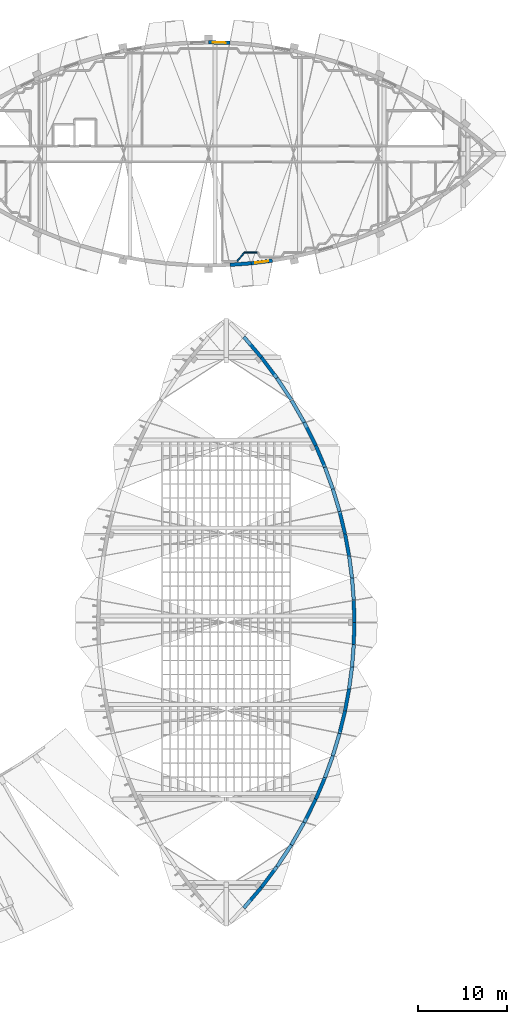
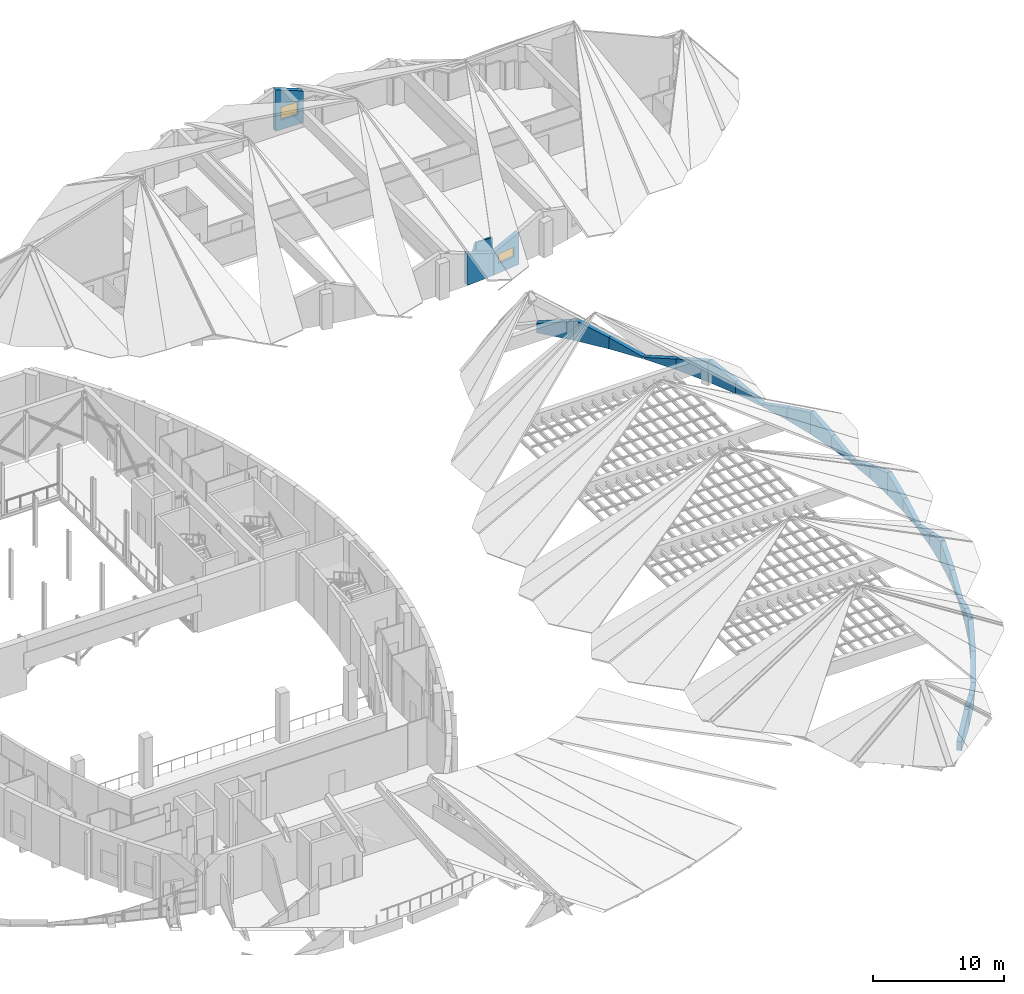
# One storey, part 46 of 56: 31 walls, 2 windows, 2 openings.
"""IFC4 building model written with IfcOpenShell, lengths in metres."""

from ifc_helpers import new_model, si_unit, direction, frame, frame_2d, origin, place, context, subcontext, project, spatial, polyline, rectangle, outline, extrude, material, layer, layer_set, type_object, element, fill, save


model = new_model("IFC4")

# Units and contexts
model_context = context("Model", 3, precision=1e-05, world=origin(), true_north=direction((0.0, 1.0)))
body_context = subcontext(model_context, "Body", "Model", "MODEL_VIEW")
ifc_project = project(units=[si_unit("LENGTHUNIT", "METRE"), si_unit("AREAUNIT", "SQUARE_METRE"), si_unit("VOLUMEUNIT", "CUBIC_METRE"), si_unit("PLANEANGLEUNIT", "RADIAN"), si_unit("MASSUNIT", "GRAM", prefix="KILO")], contexts=[model_context])

# Site, building, storey
site_placement = place(None, origin())
site = spatial("IfcSite", under=ifc_project, at=site_placement, CompositionType="ELEMENT")
building_placement = place(site_placement, origin())
building = spatial("IfcBuilding", under=site, at=building_placement, Name="Tide Square Theatres", CompositionType="ELEMENT")
storey_placement = place(building_placement, frame((0.0, 0.0, 10.199951171875)))
storey = spatial("IfcBuildingStorey", under=building, at=storey_placement, Name="L02", CompositionType="ELEMENT", Elevation=10.199951171875)

# Walls
ifc_material_1 = material(Name="Gypsum board on steel studs", Category="steel")
ifc_layer_1 = layer(ifc_material_1, 0.14990234375)
ifc_layer_set_1 = layer_set([ifc_layer_1], Name="Gypsum board on steel studs")
wall_type_1 = type_object("IfcWallType", Name="Partition 150 thick", PredefinedType="PARTITIONING", material=ifc_layer_set_1)
wall_1_placement = place(storey_placement, frame((135.51025390625, 86.678955078125, 0.0), z_axis=(0.0, 0.0, 1.0), x_axis=(-0.999966098072, 0.008234239938, 0.0)))
element("IfcWall", 1, at=wall_1_placement, inside=storey, type_object=wall_type_1, Name="Rehearsal Block partition", PredefinedType="PARTITIONING", context=body_context, shape_type="SweptSolid", body=[
    extrude(rectangle(XDim=1.482421875, YDim=0.14990234375, at=frame_2d((0.7412109375, 0.0))), origin(), (0.0, 0.0, 1.0), 2.5),
])
wall_2_placement = place(storey_placement, frame((134.002685546875, 86.659912109375, 0.0), z_axis=(0.0, 0.0, 1.0), x_axis=(-0.626036892137, -0.779793440395, 0.0)))
element("IfcWall", 2, at=wall_2_placement, inside=storey, type_object=wall_type_1, Name="Rehearsal Block partition", PredefinedType="PARTITIONING", context=body_context, shape_type="SweptSolid", body=[
    extrude(rectangle(XDim=1.24169921875, YDim=0.14990234375, at=frame_2d((0.620849609375, 0.0))), origin(), (0.0, 0.0, 1.0), 2.5),
])
ifc_material_2 = material(Name="Concrete C40", Category="concrete")
ifc_layer_2 = layer(ifc_material_2, 0.39990234375)
ifc_layer_set_2 = layer_set([ifc_layer_2], Name="Concrete C40")
wall_type_2 = type_object("IfcWallType", Name="RC curved wall 400 thick", PredefinedType="SOLIDWALL", material=ifc_layer_set_2)
wall_3_placement = place(storey_placement, frame((133.97607421875, 12.824462890625, 0.0), z_axis=(0.0, 0.0, 1.0), x_axis=(0.649458578854, 0.760396971557, 0.0)))
element("IfcWall", 3, at=wall_3_placement, inside=storey, type_object=wall_type_2, Name="Black Box Theatre perimeter wall", PredefinedType="SOLIDWALL", context=body_context, shape_type="SweptSolid", body=[
    extrude(outline(polyline([(0.0, 0.0), (3.019287109375, 0.0), (3.019287109375, 1.758056640625), (2.845458984375, 1.70654296875), (2.674560546875, 1.65576171875), (0.0, 0.862060546875), (0.0, 0.0)])), frame((0.0, 0.199951171875, 0.0), z_axis=(0.0, -1.0, 0.0), x_axis=(1.0, 0.0, 0.0)), (0.0, 0.0, 1.0), 0.39990234375),
])
wall_4_placement = place(storey_placement, frame((135.944580078125, 15.130126953125, 0.0), z_axis=(0.0, 0.0, 1.0), x_axis=(0.600829330321, 0.799377330068, 0.0)))
element("IfcWall", 4, at=wall_4_placement, inside=storey, type_object=wall_type_2, Name="Black Box Theatre perimeter wall", PredefinedType="SOLIDWALL", context=body_context, shape_type="SweptSolid", body=[
    extrude(outline(polyline([(0.0, 0.0), (2.919189453125, 0.0), (2.919189453125, 1.0498046875), (2.5888671875, 1.1513671875), (0.3154296875, 1.84912109375), (0.1650390625, 1.895263671875), (0.0, 1.76904296875), (0.0, 0.0)])), frame((0.0, 0.199951171875, 0.0), z_axis=(0.0, -1.0, 0.0), x_axis=(1.0, 0.0, 0.0)), (0.0, 0.0, 1.0), 0.39990234375),
])
wall_5_placement = place(storey_placement, frame((137.70556640625, 17.4736328125, 0.0), z_axis=(0.0, 0.0, 1.0), x_axis=(0.550602185206, 0.834767772285, 0.0)))
element("IfcWall", 5, at=wall_5_placement, inside=storey, type_object=wall_type_2, Name="Black Box Theatre perimeter wall", PredefinedType="SOLIDWALL", context=body_context, shape_type="SweptSolid", body=[
    extrude(outline(polyline([(0.0, 0.0), (2.91943359375, 0.0), (2.919189453125, 0.170654296875), (2.462646484375, 0.310791015625), (0.28759765625, 0.978515625), (0.0, 1.04296875), (0.0, 0.0)])), frame((0.0, 0.199951171875, 0.0), z_axis=(0.0, -1.0, 0.0), x_axis=(1.0, 0.0, 0.0)), (0.0, 0.0, 1.0), 0.39990234375),
])
wall_6_placement = place(storey_placement, frame((139.3193359375, 19.9208984375, 0.0), z_axis=(0.0, 0.0, 1.0), x_axis=(0.498406705095, 0.866943340892, 0.0)))
element("IfcWall", 6, at=wall_6_placement, inside=storey, type_object=wall_type_2, Name="Black Box Theatre perimeter wall", PredefinedType="SOLIDWALL", context=body_context, shape_type="SweptSolid", body=[
    extrude(outline(polyline([(0.0, 0.0), (2.91943359375, 0.0), (2.919189453125, 1.045166015625), (2.87841796875, 1.032470703125), (0.0, 0.1669921875), (0.0, 0.0)])), frame((0.0, 0.199951171875, 0.0), z_axis=(0.0, -1.0, 0.0), x_axis=(1.0, 0.0, 0.0)), (0.0, 0.0, 1.0), 0.39990234375),
])
wall_7_placement = place(storey_placement, frame((140.7802734375, 22.462646484375, 0.0), z_axis=(0.0, 0.0, 1.0), x_axis=(0.44433489597, 0.895860759395, 0.0)))
element("IfcWall", 7, at=wall_7_placement, inside=storey, type_object=wall_type_2, Name="Black Box Theatre perimeter wall", PredefinedType="SOLIDWALL", context=body_context, shape_type="SweptSolid", body=[
    extrude(outline(polyline([(0.0, 0.0), (2.919677734375, 0.0), (2.919921875, 1.955078125), (2.81201171875, 1.921875), (2.712890625, 1.891357421875), (0.0, 1.052978515625), (0.0, 0.0)])), frame((0.0, 0.199951171875, 0.0), z_axis=(0.0, -1.0, 0.0), x_axis=(1.0, 0.0, 0.0)), (0.0, 0.0, 1.0), 0.39990234375),
])
wall_8_placement = place(storey_placement, frame((142.08251953125, 25.089111328125, 0.0), z_axis=(0.0, 0.0, 1.0), x_axis=(0.391529943778, 0.920165367271, 0.0)))
element("IfcWall", 8, at=wall_8_placement, inside=storey, type_object=wall_type_2, Name="Black Box Theatre perimeter wall", PredefinedType="SOLIDWALL", context=body_context, shape_type="SweptSolid", body=[
    extrude(outline(polyline([(0.0, 0.0), (2.61572265625, 0.0), (2.615966796875, 1.1552734375), (2.479736328125, 1.201904296875), (0.190185546875, 1.986328125), (0.10498046875, 2.015380859375), (0.0, 1.963623046875), (0.0, 0.0)])), frame((0.0, 0.199951171875, 0.0), z_axis=(0.0, -1.0, 0.0), x_axis=(1.0, 0.0, 0.0)), (0.0, 0.0, 1.0), 0.39990234375),
])
wall_9_placement = place(storey_placement, frame((143.110595703125, 27.50634765625, 0.0), z_axis=(0.0, 0.0, 1.0), x_axis=(0.340394146267, 0.940282843184, 0.0)))
element("IfcWall", 9, at=wall_9_placement, inside=storey, type_object=wall_type_2, Name="Black Box Theatre perimeter wall", PredefinedType="SOLIDWALL", context=body_context, shape_type="SweptSolid", body=[
    extrude(outline(polyline([(0.0, 0.0), (2.616455078125, 0.0), (2.616455078125, 0.255615234375), (2.441650390625, 0.3154296875), (0.120361328125, 1.1103515625), (0.0, 1.14794921875), (0.0, 0.0)])), frame((0.0, 0.199951171875, 0.0), z_axis=(0.0, -1.0, 0.0), x_axis=(1.0, 0.0, 0.0)), (0.0, 0.0, 1.0), 0.39990234375),
])
wall_10_placement = place(storey_placement, frame((144.004638671875, 29.97705078125, 0.0), z_axis=(0.0, 0.0, 1.0), x_axis=(0.288212317298, 0.957566530408, 0.0)))
element("IfcWall", 10, at=wall_10_placement, inside=storey, type_object=wall_type_2, Name="Black Box Theatre perimeter wall", PredefinedType="SOLIDWALL", context=body_context, shape_type="SweptSolid", body=[
    extrude(outline(polyline([(0.0, 0.0), (2.61669921875, 0.0), (2.616455078125, 1.129150390625), (2.60302734375, 1.124755859375), (0.0, 0.251953125), (0.0, 0.0)])), frame((0.0, 0.199951171875, 0.0), z_axis=(0.0, -1.0, 0.0), x_axis=(1.0, 0.0, 0.0)), (0.0, 0.0, 1.0), 0.39990234375),
])
wall_11_placement = place(storey_placement, frame((144.76171875, 32.4931640625, 0.0), z_axis=(0.0, 0.0, 1.0), x_axis=(0.235108668597, 0.971969091047, 0.0)))
element("IfcWall", 11, at=wall_11_placement, inside=storey, type_object=wall_type_2, Name="Black Box Theatre perimeter wall", PredefinedType="SOLIDWALL", context=body_context, shape_type="SweptSolid", body=[
    extrude(outline(polyline([(0.0, 0.0), (2.61669921875, 0.0), (2.61669921875, 2.03564453125), (2.586181640625, 2.025146484375), (2.489501953125, 1.991943359375), (0.0, 1.136962890625), (0.0, 0.0)])), frame((0.0, 0.199951171875, 0.0), z_axis=(0.0, -1.0, 0.0), x_axis=(1.0, 0.0, 0.0)), (0.0, 0.0, 1.0), 0.39990234375),
])
wall_12_placement = place(storey_placement, frame((145.379150390625, 35.047119140625, 0.0), z_axis=(0.0, 0.0, 1.0), x_axis=(0.182652956339, 0.983177449671, 0.0)))
element("IfcWall", 12, at=wall_12_placement, inside=storey, type_object=wall_type_2, Name="Black Box Theatre perimeter wall", PredefinedType="SOLIDWALL", context=body_context, shape_type="SweptSolid", body=[
    extrude(outline(polyline([(0.0, 0.0), (2.496826171875, 0.0), (2.496826171875, 1.18310546875), (2.427001953125, 1.208251953125), (0.077880859375, 2.05126953125), (0.0, 2.0419921875), (0.0, 0.0)])), frame((0.0, 0.199951171875, 0.0), z_axis=(0.0, -1.0, 0.0), x_axis=(1.0, 0.0, 0.0)), (0.0, 0.0, 1.0), 0.39990234375),
])
wall_13_placement = place(storey_placement, frame((145.8369140625, 37.512451171875, 0.0), z_axis=(0.0, 0.0, 1.0), x_axis=(0.130722601708, 0.991418983782, 0.0)))
element("IfcWall", 13, at=wall_13_placement, inside=storey, type_object=wall_type_2, Name="Black Box Theatre perimeter wall", PredefinedType="SOLIDWALL", context=body_context, shape_type="SweptSolid", body=[
    extrude(outline(polyline([(0.0, 0.0), (2.4970703125, 0.0), (2.497314453125, 0.2802734375), (2.401611328125, 0.314453125), (0.058349609375, 1.15625), (0.0, 1.17578125), (0.0, 0.0)])), frame((0.0, 0.199951171875, 0.0), z_axis=(0.0, -1.0, 0.0), x_axis=(1.0, 0.0, 0.0)), (0.0, 0.0, 1.0), 0.39990234375),
])
wall_14_placement = place(storey_placement, frame((146.16455078125, 39.99853515625, 0.0), z_axis=(0.0, 0.0, 1.0), x_axis=(0.078602769132, 0.996906015974, 0.0)))
element("IfcWall", 14, at=wall_14_placement, inside=storey, type_object=wall_type_2, Name="Black Box Theatre perimeter wall", PredefinedType="SOLIDWALL", context=body_context, shape_type="SweptSolid", body=[
    extrude(outline(polyline([(0.0, 0.0), (2.497314453125, 0.0), (2.497314453125, 1.1611328125), (2.483642578125, 1.15673828125), (0.048095703125, 0.28125), (0.0, 0.275390625), (0.0, 0.0)])), frame((0.0, 0.199951171875, 0.0), z_axis=(0.0, -1.0, 0.0), x_axis=(1.0, 0.0, 0.0)), (0.0, 0.0, 1.0), 0.39990234375),
])
wall_15_placement = place(storey_placement, frame((146.361328125, 42.498291015625, 0.0), z_axis=(0.0, 0.0, 1.0), x_axis=(0.026296399089, 0.999654189905, 0.0)))
element("IfcWall", 15, at=wall_15_placement, inside=storey, type_object=wall_type_2, Name="Black Box Theatre perimeter wall", PredefinedType="SOLIDWALL", context=body_context, shape_type="SweptSolid", body=[
    extrude(outline(polyline([(0.0, 0.0), (2.49755859375, 0.0), (2.497314453125, 2.064697265625), (2.4306640625, 2.040771484375), (0.0, 1.16845703125), (0.0, 0.0)])), frame((0.0, 0.199951171875, 0.0), z_axis=(0.0, -1.0, 0.0), x_axis=(1.0, 0.0, 0.0)), (0.0, 0.0, 1.0), 0.39990234375),
])
wall_16_placement = place(storey_placement, frame((146.427001953125, 45.005126953125, 0.0), z_axis=(0.0, 0.0, 1.0), x_axis=(-0.026296399089, 0.999654189905, 0.0)))
element("IfcWall", 16, at=wall_16_placement, inside=storey, type_object=wall_type_2, Name="Black Box Theatre perimeter wall", PredefinedType="SOLIDWALL", context=body_context, shape_type="SweptSolid", body=[
    extrude(outline(polyline([(0.0, 0.0), (2.49755859375, 0.0), (2.497314453125, 1.16845703125), (2.472900390625, 1.17724609375), (0.05615234375, 2.044677734375), (0.0, 2.064697265625), (0.0, 0.0)])), frame((0.0, 0.199951171875, 0.0), z_axis=(0.0, -1.0, 0.0), x_axis=(1.0, 0.0, 0.0)), (0.0, 0.0, 1.0), 0.39990234375),
])
wall_17_placement = place(storey_placement, frame((146.36083984375, 47.511962890625, 0.0), z_axis=(0.0, 0.0, 1.0), x_axis=(-0.078602769132, 0.996906015974, 0.0)))
element("IfcWall", 17, at=wall_17_placement, inside=storey, type_object=wall_type_2, Name="Black Box Theatre perimeter wall", PredefinedType="SOLIDWALL", context=body_context, shape_type="SweptSolid", body=[
    extrude(outline(polyline([(0.0, 0.0), (2.497314453125, 0.0), (2.497314453125, 0.26416015625), (2.448974609375, 0.281494140625), (0.0, 1.1611328125), (0.0, 0.0)])), frame((0.0, 0.199951171875, 0.0), z_axis=(0.0, -1.0, 0.0), x_axis=(1.0, 0.0, 0.0)), (0.0, 0.0, 1.0), 0.39990234375),
])
wall_18_placement = place(storey_placement, frame((146.163330078125, 50.011962890625, 0.0), z_axis=(0.0, 0.0, 1.0), x_axis=(-0.130722601708, 0.991418983782, 0.0)))
element("IfcWall", 18, at=wall_18_placement, inside=storey, type_object=wall_type_2, Name="Black Box Theatre perimeter wall", PredefinedType="SOLIDWALL", context=body_context, shape_type="SweptSolid", body=[
    extrude(outline(polyline([(0.0, 0.0), (2.4970703125, 0.0), (2.497314453125, 1.1630859375), (2.43896484375, 1.14306640625), (0.095703125, 0.302001953125), (0.0, 0.267578125), (0.0, 0.0)])), frame((0.0, 0.199951171875, 0.0), z_axis=(0.0, -1.0, 0.0), x_axis=(1.0, 0.0, 0.0)), (0.0, 0.0, 1.0), 0.39990234375),
])
wall_19_placement = place(storey_placement, frame((145.835205078125, 52.498046875, 0.0), z_axis=(0.0, 0.0, 1.0), x_axis=(-0.182652956339, 0.983177449671, 0.0)))
element("IfcWall", 19, at=wall_19_placement, inside=storey, type_object=wall_type_2, Name="Black Box Theatre perimeter wall", PredefinedType="SOLIDWALL", context=body_context, shape_type="SweptSolid", body=[
    extrude(outline(polyline([(0.0, 0.0), (2.496826171875, 0.0), (2.496826171875, 2.0302734375), (2.455810546875, 2.0517578125), (2.381591796875, 2.025146484375), (0.070068359375, 1.195556640625), (0.0, 1.17041015625), (0.0, 0.0)])), frame((0.0, 0.199951171875, 0.0), z_axis=(0.0, -1.0, 0.0), x_axis=(1.0, 0.0, 0.0)), (0.0, 0.0, 1.0), 0.39990234375),
])
wall_20_placement = place(storey_placement, frame((145.376953125, 54.96337890625, 0.0), z_axis=(0.0, 0.0, 1.0), x_axis=(-0.235108668597, 0.971969091047, 0.0)))
element("IfcWall", 20, at=wall_20_placement, inside=storey, type_object=wall_type_2, Name="Black Box Theatre perimeter wall", PredefinedType="SOLIDWALL", context=body_context, shape_type="SweptSolid", body=[
    extrude(outline(polyline([(0.0, 0.0), (2.61669921875, 0.0), (2.61669921875, 1.123291015625), (0.0791015625, 1.99462890625), (0.0, 2.021728515625), (0.0, 0.0)])), frame((0.0, 0.199951171875, 0.0), z_axis=(0.0, -1.0, 0.0), x_axis=(1.0, 0.0, 0.0)), (0.0, 0.0, 1.0), 0.39990234375),
])
wall_21_placement = place(storey_placement, frame((144.7587890625, 57.517333984375, 0.0), z_axis=(0.0, 0.0, 1.0), x_axis=(-0.288212317298, 0.957566530408, 0.0)))
element("IfcWall", 21, at=wall_21_placement, inside=storey, type_object=wall_type_2, Name="Black Box Theatre perimeter wall", PredefinedType="SOLIDWALL", context=body_context, shape_type="SweptSolid", body=[
    extrude(outline(polyline([(0.0, 0.0), (2.61669921875, 0.0), (2.616455078125, 0.218994140625), (2.6005859375, 0.224609375), (0.0, 1.115234375), (0.0, 0.0)])), frame((0.0, 0.199951171875, 0.0), z_axis=(0.0, -1.0, 0.0), x_axis=(1.0, 0.0, 0.0)), (0.0, 0.0, 1.0), 0.39990234375),
])
wall_22_placement = place(storey_placement, frame((144.001220703125, 60.033447265625, 0.0), z_axis=(0.0, 0.0, 1.0), x_axis=(-0.340394146267, 0.940282843184, 0.0)))
element("IfcWall", 22, at=wall_22_placement, inside=storey, type_object=wall_type_2, Name="Black Box Theatre perimeter wall", PredefinedType="SOLIDWALL", context=body_context, shape_type="SweptSolid", body=[
    extrude(outline(polyline([(0.0, 0.0), (2.616455078125, 0.0), (2.616455078125, 1.109375), (2.49609375, 1.07275390625), (0.1748046875, 0.2783203125), (0.0, 0.218505859375), (0.0, 0.0)])), frame((0.0, 0.199951171875, 0.0), z_axis=(0.0, -1.0, 0.0), x_axis=(1.0, 0.0, 0.0)), (0.0, 0.0, 1.0), 0.39990234375),
])
wall_23_placement = place(storey_placement, frame((143.106689453125, 62.50390625, 0.0), z_axis=(0.0, 0.0, 1.0), x_axis=(-0.391529943778, 0.920165367271, 0.0)))
element("IfcWall", 23, at=wall_23_placement, inside=storey, type_object=wall_type_2, Name="Black Box Theatre perimeter wall", PredefinedType="SOLIDWALL", context=body_context, shape_type="SweptSolid", body=[
    extrude(outline(polyline([(0.0, 0.0), (2.61572265625, 0.0), (2.615966796875, 1.918701171875), (2.593505859375, 1.927001953125), (2.50830078125, 1.975830078125), (2.42333984375, 1.94677734375), (0.13623046875, 1.163330078125), (0.0, 1.11669921875), (0.0, 0.0)])), frame((0.0, 0.199951171875, 0.0), z_axis=(0.0, -1.0, 0.0), x_axis=(1.0, 0.0, 0.0)), (0.0, 0.0, 1.0), 0.39990234375),
])
wall_24_placement = place(storey_placement, frame((142.07763671875, 64.921630859375, 0.0), z_axis=(0.0, 0.0, 1.0), x_axis=(-0.44433489597, 0.895860759395, 0.0)))
element("IfcWall", 24, at=wall_24_placement, inside=storey, type_object=wall_type_2, Name="Black Box Theatre perimeter wall", PredefinedType="SOLIDWALL", context=body_context, shape_type="SweptSolid", body=[
    extrude(outline(polyline([(0.0, 0.0), (2.919677734375, 0.0), (2.919921875, 1.008544921875), (2.891845703125, 1.01904296875), (0.209716796875, 1.8466796875), (0.110595703125, 1.876953125), (0.0, 1.910888671875), (0.0, 0.0)])), frame((0.0, 0.199951171875, 0.0), z_axis=(0.0, -1.0, 0.0), x_axis=(1.0, 0.0, 0.0)), (0.0, 0.0, 1.0), 0.39990234375),
])
wall_25_placement = place(storey_placement, frame((140.7744140625, 67.548095703125, 0.0), z_axis=(0.0, 0.0, 1.0), x_axis=(-0.498438997832, 0.86692477496, 0.0)))
element("IfcWall", 25, at=wall_25_placement, inside=storey, type_object=wall_type_2, Name="Black Box Theatre perimeter wall", PredefinedType="SOLIDWALL", context=body_context, shape_type="SweptSolid", body=[
    extrude(outline(polyline([(0.0, 0.0), (2.855712890625, 0.0), (2.855712890625, 0.150146484375), (0.0, 1.000244140625), (0.0, 0.0)])), frame((0.0, 0.199951171875, 0.0), z_axis=(0.0, -1.0, 0.0), x_axis=(1.0, 0.0, 0.0)), (0.0, 0.0, 1.0), 0.39990234375),
])
wall_26_placement = place(storey_placement, frame((139.31298828125, 70.08935546875, 0.0), z_axis=(0.0, 0.0, 1.0), x_axis=(-0.550602185206, 0.834767772285, 0.0)))
element("IfcWall", 26, at=wall_26_placement, inside=storey, type_object=wall_type_2, Name="Black Box Theatre perimeter wall", PredefinedType="SOLIDWALL", context=body_context, shape_type="SweptSolid", body=[
    extrude(outline(polyline([(0.0, 0.0), (2.91943359375, 0.0), (2.919189453125, 1.04296875), (2.631591796875, 0.970458984375), (0.456787109375, 0.310791015625), (0.0, 0.170654296875), (0.0, 0.0)])), frame((0.0, 0.199951171875, 0.0), z_axis=(0.0, -1.0, 0.0), x_axis=(1.0, 0.0, 0.0)), (0.0, 0.0, 1.0), 0.39990234375),
])
wall_27_placement = place(storey_placement, frame((137.698486328125, 72.536376953125, 0.0), z_axis=(0.0, 0.0, 1.0), x_axis=(-0.600829330321, 0.799377330068, 0.0)))
element("IfcWall", 27, at=wall_27_placement, inside=storey, type_object=wall_type_2, Name="Black Box Theatre perimeter wall", PredefinedType="SOLIDWALL", context=body_context, shape_type="SweptSolid", body=[
    extrude(outline(polyline([(0.0, 0.0), (2.919189453125, 0.0), (2.919189453125, 1.766845703125), (2.904296875, 1.7724609375), (2.75390625, 1.895263671875), (2.603759765625, 1.84912109375), (0.330322265625, 1.1513671875), (0.0, 1.0498046875), (0.0, 0.0)])), frame((0.0, 0.199951171875, 0.0), z_axis=(0.0, -1.0, 0.0), x_axis=(1.0, 0.0, 0.0)), (0.0, 0.0, 1.0), 0.39990234375),
])
wall_28_placement = place(storey_placement, frame((135.93701171875, 74.879638671875, 0.0), z_axis=(0.0, 0.0, 1.0), x_axis=(-0.649458578854, 0.760396971557, 0.0)))
element("IfcWall", 28, at=wall_28_placement, inside=storey, type_object=wall_type_2, Name="Black Box Theatre perimeter wall", PredefinedType="SOLIDWALL", context=body_context, shape_type="SweptSolid", body=[
    extrude(outline(polyline([(0.0, 0.0), (3.019287109375, 0.0), (3.019287109375, 0.862060546875), (2.994140625, 0.869384765625), (0.3447265625, 1.65576171875), (0.173828125, 1.70654296875), (0.0, 1.758056640625), (0.0, 0.0)])), frame((0.0, 0.199951171875, 0.0), z_axis=(0.0, -1.0, 0.0), x_axis=(1.0, 0.0, 0.0)), (0.0, 0.0, 1.0), 0.39990234375),
])
wall_29_placement = place(storey_placement, frame((132.4052734375, 85.291748046875, 0.0), z_axis=(0.0, 0.0, 1.0), x_axis=(0.997146276918, 0.075493724435, 0.0)))
element("IfcWall", 29, at=wall_29_placement, inside=storey, type_object=wall_type_2, Name="Rehearsal Block perimeter wall 015", PredefinedType="SOLIDWALL", context=body_context, shape_type="SweptSolid", body=[
    extrude(outline(polyline([(0.0, 0.0), (2.406005859375, 0.0), (2.406005859375, 2.054443359375), (2.344970703125, 2.077392578125), (0.0, 2.955322265625), (0.0, 0.0)])), frame((0.0, 0.199951171875, 0.0), z_axis=(0.0, -1.0, 0.0), x_axis=(1.0, 0.0, 0.0)), (0.0, 0.0, 1.0), 0.39990234375),
])

# Wall, opening, window
wall_30_placement = place(storey_placement, frame((134.804443359375, 85.473388671875, 0.0), z_axis=(0.0, 0.0, 1.0), x_axis=(0.99208939311, 0.125533406227, 0.0)))
wall_30 = element("IfcWall", 30, at=wall_30_placement, inside=storey, type_object=wall_type_2, Name="Rehearsal Block perimeter wall 016", PredefinedType="SOLIDWALL", context=body_context, shape_type="SweptSolid", body=[
    extrude(outline(polyline([(0.0, 0.0), (2.40576171875, 0.0), (2.406005859375, 2.955322265625), (2.339599609375, 2.931396484375), (0.107666015625, 2.096435546875), (0.0, 2.05615234375), (0.0, 0.0)])), frame((0.0, 0.199951171875, 0.0), z_axis=(0.0, -1.0, 0.0), x_axis=(1.0, 0.0, 0.0)), (0.0, 0.0, 1.0), 0.39990234375),
])
opening_1_placement = place(wall_30_placement, frame((0.452880859375, 0.0, 0.89990234375)))
opening_1 = element("IfcOpeningElement", 31, at=opening_1_placement, cuts=wall_30, Name="Opening WN-04", PredefinedType="OPENING", context=body_context, shape_type="SweptSolid", body=[
    extrude(rectangle(XDim=1.5, YDim=0.89990234375, at=frame_2d((0.75, 0.449951171875))), frame((0.0, 0.2099609375, 0.0), z_axis=(0.0, -1.0, 0.0), x_axis=(1.0, 0.0, 0.0)), (0.0, 0.0, 1.0), 0.419921875),
])
ifc_material_3 = material(Name="Aluminium with laminated glass", Category="aluminium")
window_type_1 = type_object("IfcWindowType", Name="Window 1500 x 900", PartitioningType="SINGLE_PANEL", PredefinedType="WINDOW", material=ifc_material_3)
window_1_placement = place(opening_1_placement, origin())
window_1 = element("IfcWindow", 32, at=window_1_placement, inside=storey, type_object=window_type_1, Name="Rehearsal Block window L02-92", OverallHeight=0.89990234375, OverallWidth=1.5, PartitioningType="SINGLE_PANEL", PredefinedType="WINDOW", context=body_context, shape_type="SweptSolid", body=[
    extrude(rectangle(XDim=1.5, YDim=0.89990234375, at=frame_2d((0.75, 0.449951171875))), frame((0.0, 0.030029296875, 0.0), z_axis=(0.0, -1.0, 0.0), x_axis=(1.0, 0.0, 0.0)), (0.0, 0.0, 1.0), 0.06005859375),
])
fill(opening_1, window_1)

wall_31_placement = place(storey_placement, frame((132.4052734375, 110.30810546875, 0.0), z_axis=(0.0, 0.0, 1.0), x_axis=(-0.999683321759, 0.025164582196, 0.0)))
wall_31 = element("IfcWall", 33, at=wall_31_placement, inside=storey, type_object=wall_type_2, Name="Rehearsal Block perimeter wall 041", PredefinedType="SOLIDWALL", context=body_context, shape_type="SweptSolid", body=[
    extrude(outline(polyline([(0.0, 0.0), (2.406005859375, 0.0), (2.406005859375, 3.85888671875), (2.33251953125, 3.831298828125), (0.0, 2.958740234375), (0.0, 0.0)])), frame((0.0, 0.199951171875, 0.0), z_axis=(0.0, -1.0, 0.0), x_axis=(1.0, 0.0, 0.0)), (0.0, 0.0, 1.0), 0.39990234375),
])
opening_2_placement = place(wall_31_placement, frame((0.452880859375, 0.0, 0.89990234375)))
opening_2 = element("IfcOpeningElement", 34, at=opening_2_placement, cuts=wall_31, Name="Opening WN-03", PredefinedType="OPENING", context=body_context, shape_type="SweptSolid", body=[
    extrude(rectangle(XDim=1.5, YDim=1.199951171875, at=frame_2d((0.75, 0.60009765625))), frame((0.0, 0.2099609375, 0.0), z_axis=(0.0, -1.0, 0.0), x_axis=(1.0, 0.0, 0.0)), (0.0, 0.0, 1.0), 0.419921875),
])
ifc_material_4 = material(Name="Aluminium with laminated glass", Category="aluminium")
window_type_2 = type_object("IfcWindowType", Name="Window 1500 x 1200", PartitioningType="SINGLE_PANEL", PredefinedType="WINDOW", material=ifc_material_4)
window_2_placement = place(opening_2_placement, origin())
window_2 = element("IfcWindow", 35, at=window_2_placement, inside=storey, type_object=window_type_2, Name="Rehearsal Block window L02-98", OverallHeight=1.199951171875, OverallWidth=1.5, PartitioningType="SINGLE_PANEL", PredefinedType="WINDOW", context=body_context, shape_type="SweptSolid", body=[
    extrude(rectangle(XDim=1.5, YDim=1.199951171875, at=frame_2d((0.75, 0.60009765625))), frame((0.0, 0.030029296875, 0.0), z_axis=(0.0, -1.0, 0.0), x_axis=(1.0, 0.0, 0.0)), (0.0, 0.0, 1.0), 0.06005859375),
])
fill(opening_2, window_2)

save(model, "model.ifc")
